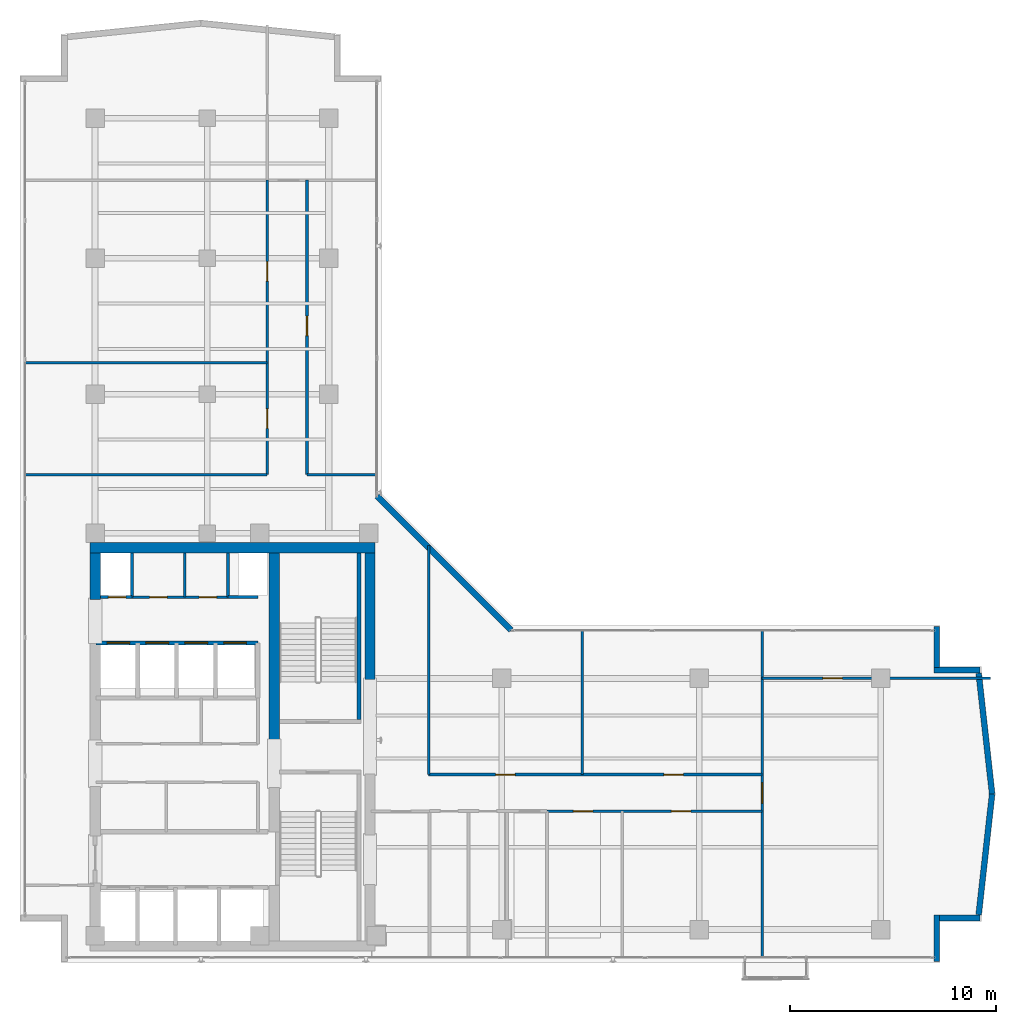
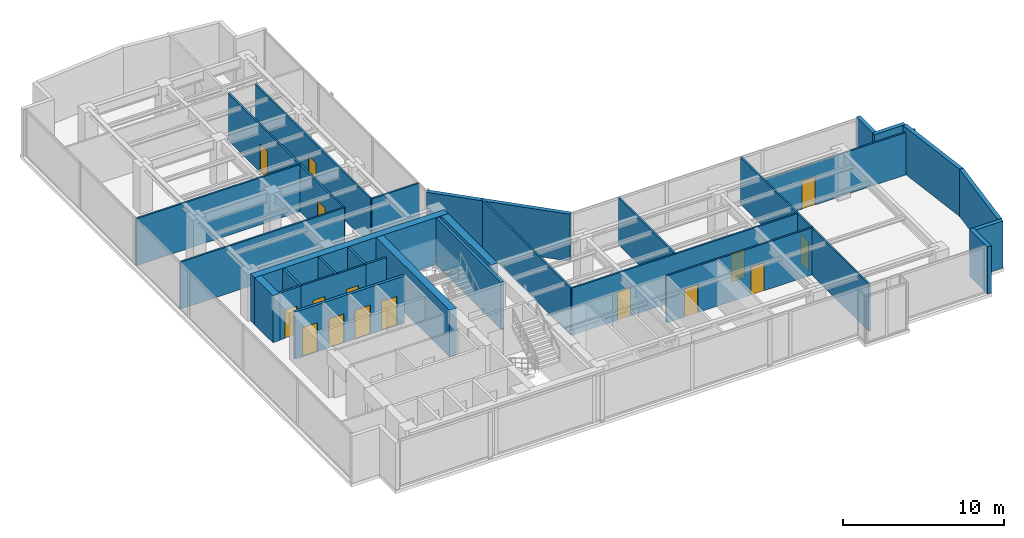
# One storey, part 17 of 22: 30 walls, 16 doors, 16 openings.
"""IFC4 building model written with IfcOpenShell, lengths in metres."""

from ifc_helpers import new_model, si_unit, direction, frame, frame_2d, origin, place, context, subcontext, project, spatial, rectangle, extrude, material, layer, layer_set, type_object, element, fill, save


model = new_model("IFC4")

# Units and contexts
model_context = context("Model", 3, precision=1e-05, world=origin(), true_north=direction((0.0, 1.0)))
body_context = subcontext(model_context, "Body", "Model", "MODEL_VIEW")
ifc_project = project(units=[si_unit("LENGTHUNIT", "METRE"), si_unit("AREAUNIT", "SQUARE_METRE"), si_unit("VOLUMEUNIT", "CUBIC_METRE"), si_unit("PLANEANGLEUNIT", "RADIAN"), si_unit("MASSUNIT", "GRAM", prefix="KILO")], contexts=[model_context])

# Site, building, storey
site_placement = place(None, origin())
site = spatial("IfcSite", under=ifc_project, at=site_placement, CompositionType="ELEMENT")
building_placement = place(site_placement, origin())
building = spatial("IfcBuilding", under=site, at=building_placement, Name="Kolvaren Waterfront Exchange", CompositionType="ELEMENT")
storey_placement = place(building_placement, frame((0.0, 0.0, 274.199951171875)))
storey = spatial("IfcBuildingStorey", under=building, at=storey_placement, Name="L70", CompositionType="ELEMENT", Elevation=274.199951171875)

# Walls
ifc_material_1 = material(Name="Precast concrete C40/50", Category="concrete")
ifc_layer_1 = layer(ifc_material_1, 0.280029296875, Name="Precast concrete C40/50")
ifc_layer_set_1 = layer_set([ifc_layer_1], Name="Precast concrete C40/50")
wall_type_1 = type_object("IfcWallType", Name="ARC-EXT-TERR-280", PredefinedType="SOLIDWALL", material=ifc_layer_set_1)
wall_1_placement = place(storey_placement, frame((48.32958984375, 3.659912109375, 0.0), z_axis=(0.0, 0.0, 1.0), x_axis=(0.0, 1.0, 0.0)))
element("IfcWall", 1, at=wall_1_placement, inside=storey, type_object=wall_type_1, Name="L70 notched corner spandrel pier SE-A", PredefinedType="SOLIDWALL", context=body_context, shape_type="SweptSolid", body=[
    extrude(rectangle(XDim=2.239990234375, YDim=0.280029296875, at=frame_2d((1.1201171875, 0.0))), origin(), (0.0, 0.0, 1.0), 3.56005859375),
])
wall_2_placement = place(storey_placement, frame((48.469482421875, 5.760009765625, 0.0), z_axis=(0.0, 0.0, 1.0), x_axis=(1.0, 0.0, 0.0)))
element("IfcWall", 2, at=wall_2_placement, inside=storey, type_object=wall_type_1, Name="L70 notched corner spandrel pier SE-B", PredefinedType="SOLIDWALL", context=body_context, shape_type="SweptSolid", body=[
    extrude(rectangle(XDim=1.9599609375, YDim=0.280029296875, at=frame_2d((0.97998046875, 0.0))), origin(), (0.0, 0.0, 1.0), 3.56005859375),
])
wall_3_placement = place(storey_placement, frame((48.32958984375, 17.933349609375, 0.0), z_axis=(0.0, 0.0, 1.0), x_axis=(0.0, 1.0, 0.0)))
element("IfcWall", 3, at=wall_3_placement, inside=storey, type_object=wall_type_1, Name="L70 notched corner spandrel pier ENE-A", PredefinedType="SOLIDWALL", context=body_context, shape_type="SweptSolid", body=[
    extrude(rectangle(XDim=1.97509765625, YDim=0.280029296875, at=frame_2d((0.987548828125, 0.0))), origin(), (0.0, 0.0, 1.0), 3.56005859375),
])
wall_4_placement = place(storey_placement, frame((48.189453125, 17.808349609375, 0.0), z_axis=(0.0, 0.0, 1.0), x_axis=(1.0, 0.0, 0.0)))
element("IfcWall", 4, at=wall_4_placement, inside=storey, type_object=wall_type_1, Name="L70 notched corner spandrel pier ENE-B", PredefinedType="SOLIDWALL", context=body_context, shape_type="SweptSolid", body=[
    extrude(rectangle(XDim=2.239990234375, YDim=0.280029296875, at=frame_2d((1.1201171875, 0.0))), origin(), (0.0, 0.0, 1.0), 3.56005859375),
])
wall_5_placement = place(storey_placement, frame((27.6533203125, 19.743408203125, 0.0), z_axis=(0.0, 0.0, 1.0), x_axis=(-0.707106781187, 0.707106781187, 0.0)))
element("IfcWall", 5, at=wall_5_placement, inside=storey, type_object=wall_type_1, Name="L70 notched corner spandrel pier ELBOW", PredefinedType="SOLIDWALL", context=body_context, shape_type="SweptSolid", body=[
    extrude(rectangle(XDim=9.20654296875, YDim=0.280029296875, at=frame_2d((4.603271484375, 0.0))), origin(), (0.0, 0.0, 1.0), 3.56005859375),
])
wall_6_placement = place(storey_placement, frame((50.36376953125, 5.916015625, 0.0), z_axis=(0.0, 0.0, 1.0), x_axis=(0.110812869421, 0.993841289126, 0.0)))
element("IfcWall", 6, at=wall_6_placement, inside=storey, type_object=wall_type_1, Name="L70 east prow faceted facade wall 1", PredefinedType="SOLIDWALL", context=body_context, shape_type="SweptSolid", body=[
    extrude(rectangle(XDim=5.90234375, YDim=0.280029296875, at=frame_2d((2.951171875, 0.0))), origin(), (0.0, 0.0, 1.0), 3.56005859375),
])
wall_7_placement = place(storey_placement, frame((51.017822265625, 11.786376953125, 0.0), z_axis=(0.0, 0.0, 1.0), x_axis=(-0.110808314225, 0.993841797017, 0.0)))
element("IfcWall", 7, at=wall_7_placement, inside=storey, type_object=wall_type_1, Name="L70 east prow faceted facade wall 2", PredefinedType="SOLIDWALL", context=body_context, shape_type="SweptSolid", body=[
    extrude(rectangle(XDim=5.902587890625, YDim=0.280029296875, at=frame_2d((2.951171875, 0.0))), origin(), (0.0, 0.0, 1.0), 3.56005859375),
])

# Wall, openings, doors
ifc_material_2 = material(Name="Acoustic gypsum steel stud", Category="steel")
ifc_layer_2 = layer(ifc_material_2, 0.125, Name="Acoustic gypsum steel stud")
ifc_layer_set_2 = layer_set([ifc_layer_2], Name="Acoustic gypsum steel stud")
wall_type_2 = type_object("IfcWallType", Name="ARC-PART-125", PredefinedType="PARTITIONING", material=ifc_layer_set_2)
wall_8_placement = place(storey_placement, frame((9.25, 21.35009765625, 0.0), z_axis=(0.0, 0.0, 1.0), x_axis=(1.0, 0.0, 0.0)))
wall_8 = element("IfcWall", 8, at=wall_8_placement, inside=storey, type_object=wall_type_2, Name="L70 interior wall PW-L70-SVC-HI-S", PredefinedType="PARTITIONING", context=body_context, shape_type="SweptSolid", body=[
    extrude(rectangle(XDim=4.64990234375, YDim=0.125, at=frame_2d((2.324951171875, 0.0))), origin(), (0.0, 0.0, 1.0), 3.56005859375),
])
opening_1_placement = place(wall_8_placement, frame((0.85009765625, 0.0, 0.0)))
opening_1 = element("IfcOpeningElement", 9, at=opening_1_placement, cuts=wall_8, Name="Opening D01", PredefinedType="OPENING", context=body_context, shape_type="SweptSolid", body=[
    extrude(rectangle(XDim=0.85009765625, YDim=2.14990234375, at=frame_2d((0.425048828125, 1.074951171875))), frame((0.0, 0.072509765625, 0.0), z_axis=(0.0, -1.0, 0.0), x_axis=(1.0, 0.0, 0.0)), (0.0, 0.0, 1.0), 0.14501953125),
])
opening_2_placement = place(wall_8_placement, frame((3.25, 0.0, 0.0)))
opening_2 = element("IfcOpeningElement", 10, at=opening_2_placement, cuts=wall_8, Name="Opening D01", PredefinedType="OPENING", context=body_context, shape_type="SweptSolid", body=[
    extrude(rectangle(XDim=0.85009765625, YDim=2.14990234375, at=frame_2d((0.425048828125, 1.074951171875))), frame((0.0, 0.072509765625, 0.0), z_axis=(0.0, -1.0, 0.0), x_axis=(1.0, 0.0, 0.0)), (0.0, 0.0, 1.0), 0.14501953125),
])
ifc_material_3 = material(Name="Oak veneer timber leaf", Category="wood")
door_type_1 = type_object("IfcDoorType", Name="ARC-DR-900", OperationType="NOTDEFINED", PredefinedType="DOOR", material=ifc_material_3)
door_1_placement = place(opening_1_placement, origin())
door_1 = element("IfcDoor", 11, at=door_1_placement, inside=storey, type_object=door_type_1, Name="L70 door DR-L70-SVC-DR-1 (D01)", OperationType="SINGLE_SWING_LEFT", OverallHeight=2.14990234375, OverallWidth=0.85009765625, PredefinedType="DOOR", context=body_context, shape_type="SweptSolid", body=[
    extrude(rectangle(XDim=0.85009765625, YDim=2.14990234375, at=frame_2d((0.425048828125, 1.074951171875))), frame((0.0, 0.02490234375, 0.0), z_axis=(0.0, -1.0, 0.0), x_axis=(1.0, 0.0, 0.0)), (0.0, 0.0, 1.0), 0.050048828125),
])
fill(opening_1, door_1)
door_2_placement = place(opening_2_placement, origin())
door_2 = element("IfcDoor", 12, at=door_2_placement, inside=storey, type_object=door_type_1, Name="L70 door DR-L70-SVC-DR-2 (D01)", OperationType="SINGLE_SWING_RIGHT", OverallHeight=2.14990234375, OverallWidth=0.85009765625, PredefinedType="DOOR", context=body_context, shape_type="SweptSolid", body=[
    extrude(rectangle(XDim=0.85009765625, YDim=2.14990234375, at=frame_2d((0.425048828125, 1.074951171875))), frame((0.0, 0.02490234375, 0.0), z_axis=(0.0, -1.0, 0.0), x_axis=(1.0, 0.0, 0.0)), (0.0, 0.0, 1.0), 0.050048828125),
])
fill(opening_2, door_2)

# Wall
wall_9_placement = place(storey_placement, frame((11.800048828125, 21.35009765625, 0.0), z_axis=(0.0, 0.0, 1.0), x_axis=(0.0, 1.0, 0.0)))
element("IfcWall", 13, at=wall_9_placement, inside=storey, type_object=wall_type_2, Name="L70 interior wall PW-L70-SVC-HI-M", PredefinedType="PARTITIONING", context=body_context, shape_type="SweptSolid", body=[
    extrude(rectangle(XDim=2.1298828125, YDim=0.125, at=frame_2d((1.06494140625, 0.0))), origin(), (0.0, 0.0, 1.0), 3.56005859375),
])

# Wall, openings, doors
wall_10_placement = place(storey_placement, frame((29.39990234375, 10.949951171875, 0.0), z_axis=(0.0, 0.0, 1.0), x_axis=(1.0, 0.0, 0.0)))
wall_10 = element("IfcWall", 14, at=wall_10_placement, inside=storey, type_object=wall_type_2, Name="L70 interior wall PW-L70-ES-CORR", PredefinedType="PARTITIONING", context=body_context, shape_type="SweptSolid", body=[
    extrude(rectangle(XDim=10.4501953125, YDim=0.125, at=frame_2d((5.22509765625, 0.0))), origin(), (0.0, 0.0, 1.0), 3.56005859375),
])
opening_3_placement = place(wall_10_placement, frame((1.281494140625, 0.0, 0.0)))
opening_3 = element("IfcOpeningElement", 15, at=opening_3_placement, cuts=wall_10, Name="Opening D02", PredefinedType="OPENING", context=body_context, shape_type="SweptSolid", body=[
    extrude(rectangle(XDim=0.949951171875, YDim=2.14990234375, at=frame_2d((0.47509765625, 1.074951171875))), frame((0.0, 0.072509765625, 0.0), z_axis=(0.0, -1.0, 0.0), x_axis=(1.0, 0.0, 0.0)), (0.0, 0.0, 1.0), 0.14501953125),
])
opening_4_placement = place(wall_10_placement, frame((6.034423828125, 0.0, 0.0)))
opening_4 = element("IfcOpeningElement", 16, at=opening_4_placement, cuts=wall_10, Name="Opening D02", PredefinedType="OPENING", context=body_context, shape_type="SweptSolid", body=[
    extrude(rectangle(XDim=0.949951171875, YDim=2.14990234375, at=frame_2d((0.47509765625, 1.074951171875))), frame((0.0, 0.072509765625, 0.0), z_axis=(0.0, -1.0, 0.0), x_axis=(1.0, 0.0, 0.0)), (0.0, 0.0, 1.0), 0.14501953125),
])
ifc_material_4 = material(Name="Oak veneer acoustic timber", Category="wood")
door_type_2 = type_object("IfcDoorType", Name="ARC-DR-950", OperationType="NOTDEFINED", PredefinedType="DOOR", material=ifc_material_4)
door_3_placement = place(opening_3_placement, origin())
door_3 = element("IfcDoor", 17, at=door_3_placement, inside=storey, type_object=door_type_2, Name="L70 door DR-L70-ES-D-1 (D02)", OperationType="SINGLE_SWING_RIGHT", OverallHeight=2.14990234375, OverallWidth=0.949951171875, PredefinedType="DOOR", context=body_context, shape_type="SweptSolid", body=[
    extrude(rectangle(XDim=0.949951171875, YDim=2.14990234375, at=frame_2d((0.47509765625, 1.074951171875))), frame((0.0, 0.02490234375, 0.0), z_axis=(0.0, -1.0, 0.0), x_axis=(1.0, 0.0, 0.0)), (0.0, 0.0, 1.0), 0.050048828125),
])
fill(opening_3, door_3)
door_4_placement = place(opening_4_placement, origin())
door_4 = element("IfcDoor", 18, at=door_4_placement, inside=storey, type_object=door_type_2, Name="L70 door DR-L70-ES-D-2 (D02)", OperationType="SINGLE_SWING_LEFT", OverallHeight=2.14990234375, OverallWidth=0.949951171875, PredefinedType="DOOR", context=body_context, shape_type="SweptSolid", body=[
    extrude(rectangle(XDim=0.949951171875, YDim=2.14990234375, at=frame_2d((0.47509765625, 1.074951171875))), frame((0.0, 0.02490234375, 0.0), z_axis=(0.0, -1.0, 0.0), x_axis=(1.0, 0.0, 0.0)), (0.0, 0.0, 1.0), 0.050048828125),
])
fill(opening_4, door_4)

# Wall, opening, door
wall_11_placement = place(storey_placement, frame((39.85009765625, 3.840087890625, 0.0), z_axis=(0.0, 0.0, 1.0), x_axis=(0.0, 1.0, 0.0)))
wall_11 = element("IfcWall", 19, at=wall_11_placement, inside=storey, type_object=wall_type_2, Name="L70 interior wall PW-L70-ETIP-W", PredefinedType="PARTITIONING", context=body_context, shape_type="SweptSolid", body=[
    extrude(rectangle(XDim=15.919921875, YDim=0.125, at=frame_2d((7.9599609375, 0.0))), origin(), (0.0, 0.0, 1.0), 3.56005859375),
])
opening_5_placement = place(wall_11_placement, frame((7.5, 0.0, 0.0)))
opening_5 = element("IfcOpeningElement", 20, at=opening_5_placement, cuts=wall_11, Name="Opening D03", PredefinedType="OPENING", context=body_context, shape_type="SweptSolid", body=[
    extrude(rectangle(XDim=1.0, YDim=2.199951171875, at=frame_2d((0.5, 1.10009765625))), frame((0.0, 0.072509765625, 0.0), z_axis=(0.0, -1.0, 0.0), x_axis=(1.0, 0.0, 0.0)), (0.0, 0.0, 1.0), 0.14501953125),
])
ifc_material_5 = material(Name="Oak veneer accessible timber", Category="wood")
door_type_3 = type_object("IfcDoorType", Name="ARC-DR-1000", OperationType="NOTDEFINED", PredefinedType="DOOR", material=ifc_material_5)
door_5_placement = place(opening_5_placement, origin())
door_5 = element("IfcDoor", 21, at=door_5_placement, inside=storey, type_object=door_type_3, Name="L70 door DR-L70-ETIP1-D (D03)", OperationType="SINGLE_SWING_RIGHT", OverallHeight=2.199951171875, OverallWidth=1.0, PredefinedType="DOOR", context=body_context, shape_type="SweptSolid", body=[
    extrude(rectangle(XDim=1.0, YDim=2.199951171875, at=frame_2d((0.5, 1.10009765625))), frame((0.0, 0.02490234375, 0.0), z_axis=(0.0, -1.0, 0.0), x_axis=(1.0, 0.0, 0.0)), (0.0, 0.0, 1.0), 0.050048828125),
])
fill(opening_5, door_5)

wall_12_placement = place(storey_placement, frame((39.85009765625, 17.39990234375, 0.0), z_axis=(0.0, 0.0, 1.0), x_axis=(1.0, 0.0, 0.0)))
wall_12 = element("IfcWall", 22, at=wall_12_placement, inside=storey, type_object=wall_type_2, Name="L70 interior wall PW-L70-ETIP-MID", PredefinedType="PARTITIONING", context=body_context, shape_type="SweptSolid", body=[
    extrude(rectangle(XDim=11.0888671875, YDim=0.125, at=frame_2d((5.54443359375, 0.0))), origin(), (0.0, 0.0, 1.0), 3.199951171875),
])
opening_6_placement = place(wall_12_placement, frame((2.949951171875, 0.0, 0.0)))
opening_6 = element("IfcOpeningElement", 23, at=opening_6_placement, cuts=wall_12, Name="Opening D02", PredefinedType="OPENING", context=body_context, shape_type="SweptSolid", body=[
    extrude(rectangle(XDim=0.949951171875, YDim=2.14990234375, at=frame_2d((0.47509765625, 1.074951171875))), frame((0.0, 0.072509765625, 0.0), z_axis=(0.0, -1.0, 0.0), x_axis=(1.0, 0.0, 0.0)), (0.0, 0.0, 1.0), 0.14501953125),
])
door_6_placement = place(opening_6_placement, origin())
door_6 = element("IfcDoor", 24, at=door_6_placement, inside=storey, type_object=door_type_2, Name="L70 door DR-L70-ETIP2-D (D02)", OperationType="SINGLE_SWING_LEFT", OverallHeight=2.14990234375, OverallWidth=0.949951171875, PredefinedType="DOOR", context=body_context, shape_type="SweptSolid", body=[
    extrude(rectangle(XDim=0.949951171875, YDim=2.14990234375, at=frame_2d((0.47509765625, 1.074951171875))), frame((0.0, 0.02490234375, 0.0), z_axis=(0.0, -1.0, 0.0), x_axis=(1.0, 0.0, 0.0)), (0.0, 0.0, 1.0), 0.050048828125),
])
fill(opening_6, door_6)

# Wall
wall_13_placement = place(storey_placement, frame((23.64990234375, 12.72998046875, 0.0), z_axis=(0.0, 0.0, 1.0), x_axis=(0.0, 1.0, 0.0)))
element("IfcWall", 25, at=wall_13_placement, inside=storey, type_object=wall_type_2, Name="L70 interior wall PW-L70-EN-W0", PredefinedType="PARTITIONING", context=body_context, shape_type="SweptSolid", body=[
    extrude(rectangle(XDim=11.11669921875, YDim=0.125, at=frame_2d((5.558349609375, 0.0))), origin(), (0.0, 0.0, 1.0), 3.56005859375),
])

# Wall, openings, doors
wall_14_placement = place(storey_placement, frame((23.64990234375, 12.72998046875, 0.0), z_axis=(0.0, 0.0, 1.0), x_axis=(1.0, 0.0, 0.0)))
wall_14 = element("IfcWall", 26, at=wall_14_placement, inside=storey, type_object=wall_type_2, Name="L70 interior wall PW-L70-EN-CORR", PredefinedType="PARTITIONING", context=body_context, shape_type="SweptSolid", body=[
    extrude(rectangle(XDim=16.2001953125, YDim=0.125, at=frame_2d((8.10009765625, 0.0))), origin(), (0.0, 0.0, 1.0), 3.56005859375),
])
opening_7_placement = place(wall_14_placement, frame((3.25, 0.0, 0.0)))
opening_7 = element("IfcOpeningElement", 27, at=opening_7_placement, cuts=wall_14, Name="Opening D02", PredefinedType="OPENING", context=body_context, shape_type="SweptSolid", body=[
    extrude(rectangle(XDim=0.949951171875, YDim=2.14990234375, at=frame_2d((0.47509765625, 1.074951171875))), frame((0.0, 0.072509765625, 0.0), z_axis=(0.0, -1.0, 0.0), x_axis=(1.0, 0.0, 0.0)), (0.0, 0.0, 1.0), 0.14501953125),
])
opening_8_placement = place(wall_14_placement, frame((11.42138671875, 0.0, 0.0)))
opening_8 = element("IfcOpeningElement", 28, at=opening_8_placement, cuts=wall_14, Name="Opening D02", PredefinedType="OPENING", context=body_context, shape_type="SweptSolid", body=[
    extrude(rectangle(XDim=0.949951171875, YDim=2.14990234375, at=frame_2d((0.47509765625, 1.074951171875))), frame((0.0, 0.072509765625, 0.0), z_axis=(0.0, -1.0, 0.0), x_axis=(1.0, 0.0, 0.0)), (0.0, 0.0, 1.0), 0.14501953125),
])
door_7_placement = place(opening_7_placement, origin())
door_7 = element("IfcDoor", 29, at=door_7_placement, inside=storey, type_object=door_type_2, Name="L70 door DR-L70-EN-D-1 (D02)", OperationType="SINGLE_SWING_RIGHT", OverallHeight=2.14990234375, OverallWidth=0.949951171875, PredefinedType="DOOR", context=body_context, shape_type="SweptSolid", body=[
    extrude(rectangle(XDim=0.949951171875, YDim=2.14990234375, at=frame_2d((0.47509765625, 1.074951171875))), frame((0.0, 0.02490234375, 0.0), z_axis=(0.0, -1.0, 0.0), x_axis=(1.0, 0.0, 0.0)), (0.0, 0.0, 1.0), 0.050048828125),
])
fill(opening_7, door_7)
door_8_placement = place(opening_8_placement, origin())
door_8 = element("IfcDoor", 30, at=door_8_placement, inside=storey, type_object=door_type_2, Name="L70 door DR-L70-EN-D-2 (D02)", OperationType="SINGLE_SWING_LEFT", OverallHeight=2.14990234375, OverallWidth=0.949951171875, PredefinedType="DOOR", context=body_context, shape_type="SweptSolid", body=[
    extrude(rectangle(XDim=0.949951171875, YDim=2.14990234375, at=frame_2d((0.47509765625, 1.074951171875))), frame((0.0, 0.02490234375, 0.0), z_axis=(0.0, -1.0, 0.0), x_axis=(1.0, 0.0, 0.0)), (0.0, 0.0, 1.0), 0.050048828125),
])
fill(opening_8, door_8)

# Walls
wall_15_placement = place(storey_placement, frame((31.10009765625, 12.72998046875, 0.0), z_axis=(0.0, 0.0, 1.0), x_axis=(0.0, 1.0, 0.0)))
element("IfcWall", 31, at=wall_15_placement, inside=storey, type_object=wall_type_2, Name="L70 interior wall PW-L70-EN-DIV-1", PredefinedType="PARTITIONING", context=body_context, shape_type="SweptSolid", body=[
    extrude(rectangle(XDim=7.030029296875, YDim=0.125, at=frame_2d((3.51513671875, 0.0))), origin(), (0.0, 0.0, 1.0), 3.56005859375),
])
wall_16_placement = place(storey_placement, frame((4.0400390625, 27.300048828125, 0.0), z_axis=(0.0, 0.0, 1.0), x_axis=(1.0, 0.0, 0.0)))
element("IfcWall", 32, at=wall_16_placement, inside=storey, type_object=wall_type_2, Name="L70 interior wall PW-L70-NW-S0", PredefinedType="PARTITIONING", context=body_context, shape_type="SweptSolid", body=[
    extrude(rectangle(XDim=11.760009765625, YDim=0.125, at=frame_2d((5.8798828125, 0.0))), origin(), (0.0, 0.0, 1.0), 3.56005859375),
])

# Wall, openings, doors
wall_17_placement = place(storey_placement, frame((15.800048828125, 27.300048828125, 0.0), z_axis=(0.0, 0.0, 1.0), x_axis=(0.0, 1.0, 0.0)))
wall_17 = element("IfcWall", 33, at=wall_17_placement, inside=storey, type_object=wall_type_2, Name="L70 interior wall PW-L70-NW-CORR", PredefinedType="PARTITIONING", context=body_context, shape_type="SweptSolid", body=[
    extrude(rectangle(XDim=14.300048828125, YDim=0.125, at=frame_2d((7.14990234375, 0.0))), origin(), (0.0, 0.0, 1.0), 3.56005859375),
])
opening_9_placement = place(wall_17_placement, frame((2.239990234375, 0.0, 0.0)))
opening_9 = element("IfcOpeningElement", 34, at=opening_9_placement, cuts=wall_17, Name="Opening D02", PredefinedType="OPENING", context=body_context, shape_type="SweptSolid", body=[
    extrude(rectangle(XDim=0.949951171875, YDim=2.14990234375, at=frame_2d((0.47509765625, 1.074951171875))), frame((0.0, 0.072509765625, 0.0), z_axis=(0.0, -1.0, 0.0), x_axis=(1.0, 0.0, 0.0)), (0.0, 0.0, 1.0), 0.14501953125),
])
opening_10_placement = place(wall_17_placement, frame((9.389892578125, 0.0, 0.0)))
opening_10 = element("IfcOpeningElement", 35, at=opening_10_placement, cuts=wall_17, Name="Opening D02", PredefinedType="OPENING", context=body_context, shape_type="SweptSolid", body=[
    extrude(rectangle(XDim=0.949951171875, YDim=2.14990234375, at=frame_2d((0.47509765625, 1.074951171875))), frame((0.0, 0.072509765625, 0.0), z_axis=(0.0, -1.0, 0.0), x_axis=(1.0, 0.0, 0.0)), (0.0, 0.0, 1.0), 0.14501953125),
])
door_9_placement = place(opening_9_placement, origin())
door_9 = element("IfcDoor", 36, at=door_9_placement, inside=storey, type_object=door_type_2, Name="L70 door DR-L70-NW-D-1 (D02)", OperationType="SINGLE_SWING_RIGHT", OverallHeight=2.14990234375, OverallWidth=0.949951171875, PredefinedType="DOOR", context=body_context, shape_type="SweptSolid", body=[
    extrude(rectangle(XDim=0.949951171875, YDim=2.14990234375, at=frame_2d((0.47509765625, 1.074951171875))), frame((0.0, 0.02490234375, 0.0), z_axis=(0.0, -1.0, 0.0), x_axis=(1.0, 0.0, 0.0)), (0.0, 0.0, 1.0), 0.050048828125),
])
fill(opening_9, door_9)
door_10_placement = place(opening_10_placement, origin())
door_10 = element("IfcDoor", 37, at=door_10_placement, inside=storey, type_object=door_type_2, Name="L70 door DR-L70-NW-D-2 (D02)", OperationType="SINGLE_SWING_LEFT", OverallHeight=2.14990234375, OverallWidth=0.949951171875, PredefinedType="DOOR", context=body_context, shape_type="SweptSolid", body=[
    extrude(rectangle(XDim=0.949951171875, YDim=2.14990234375, at=frame_2d((0.47509765625, 1.074951171875))), frame((0.0, 0.02490234375, 0.0), z_axis=(0.0, -1.0, 0.0), x_axis=(1.0, 0.0, 0.0)), (0.0, 0.0, 1.0), 0.050048828125),
])
fill(opening_10, door_10)

# Walls
wall_18_placement = place(storey_placement, frame((4.0400390625, 32.72998046875, 0.0), z_axis=(0.0, 0.0, 1.0), x_axis=(1.0, 0.0, 0.0)))
element("IfcWall", 38, at=wall_18_placement, inside=storey, type_object=wall_type_2, Name="L70 interior wall PW-L70-NW-DIV-1", PredefinedType="PARTITIONING", context=body_context, shape_type="SweptSolid", body=[
    extrude(rectangle(XDim=11.760009765625, YDim=0.125, at=frame_2d((5.8798828125, 0.0))), origin(), (0.0, 0.0, 1.0), 3.56005859375),
])
wall_19_placement = place(storey_placement, frame((17.739990234375, 27.300048828125, 0.0), z_axis=(0.0, 0.0, 1.0), x_axis=(1.0, 0.0, 0.0)))
element("IfcWall", 39, at=wall_19_placement, inside=storey, type_object=wall_type_2, Name="L70 interior wall PW-L70-NE-S0", PredefinedType="PARTITIONING", context=body_context, shape_type="SweptSolid", body=[
    extrude(rectangle(XDim=3.419921875, YDim=0.125, at=frame_2d((1.7099609375, 0.0))), origin(), (0.0, 0.0, 1.0), 3.56005859375),
])

# Wall, opening, door
wall_20_placement = place(storey_placement, frame((17.739990234375, 27.300048828125, 0.0), z_axis=(0.0, 0.0, 1.0), x_axis=(0.0, 1.0, 0.0)))
wall_20 = element("IfcWall", 40, at=wall_20_placement, inside=storey, type_object=wall_type_2, Name="L70 interior wall PW-L70-NE-CORR", PredefinedType="PARTITIONING", context=body_context, shape_type="SweptSolid", body=[
    extrude(rectangle(XDim=14.300048828125, YDim=0.125, at=frame_2d((7.14990234375, 0.0))), origin(), (0.0, 0.0, 1.0), 3.56005859375),
])
opening_11_placement = place(wall_20_placement, frame((6.74560546875, 0.0, 0.0)))
opening_11 = element("IfcOpeningElement", 41, at=opening_11_placement, cuts=wall_20, Name="Opening D02", PredefinedType="OPENING", context=body_context, shape_type="SweptSolid", body=[
    extrude(rectangle(XDim=0.949951171875, YDim=2.14990234375, at=frame_2d((0.47509765625, 1.074951171875))), frame((0.0, 0.072509765625, 0.0), z_axis=(0.0, -1.0, 0.0), x_axis=(1.0, 0.0, 0.0)), (0.0, 0.0, 1.0), 0.14501953125),
])
door_11_placement = place(opening_11_placement, origin())
door_11 = element("IfcDoor", 42, at=door_11_placement, inside=storey, type_object=door_type_2, Name="L70 door DR-L70-NE-D-1 (D02)", OperationType="SINGLE_SWING_RIGHT", OverallHeight=2.14990234375, OverallWidth=0.949951171875, PredefinedType="DOOR", context=body_context, shape_type="SweptSolid", body=[
    extrude(rectangle(XDim=0.949951171875, YDim=2.14990234375, at=frame_2d((0.47509765625, 1.074951171875))), frame((0.0, 0.02490234375, 0.0), z_axis=(0.0, -1.0, 0.0), x_axis=(1.0, 0.0, 0.0)), (0.0, 0.0, 1.0), 0.050048828125),
])
fill(opening_11, door_11)

# Walls
ifc_material_6 = material(Name="Gypsum fireboard steel stud", Category="steel")
ifc_layer_3 = layer(ifc_material_6, 0.14990234375, Name="Gypsum fireboard steel stud")
ifc_layer_set_3 = layer_set([ifc_layer_3], Name="Gypsum fireboard steel stud")
wall_type_3 = type_object("IfcWallType", Name="ARC-PART-150", PredefinedType="PARTITIONING", material=ifc_layer_set_3)
for number, where, z_axis, x_axis, name in (
    (43, (9.25, 21.35009765625, 0.0), (0.0, 0.0, 1.0), (0.0, 1.0, 0.0), "L70 interior wall PW-L70-SVC-R1"),
    (44, (13.89990234375, 21.35009765625, 0.0), (0.0, 0.0, 1.0), (0.0, 1.0, 0.0), "L70 interior wall PW-L70-SVC-R2"),
):
    element("IfcWall", number, at=place(storey_placement, frame(where, z_axis=z_axis, x_axis=x_axis)), inside=storey, type_object=wall_type_3, Name=name, PredefinedType="PARTITIONING", context=body_context, shape_type="SweptSolid", body=[
        extrude(rectangle(XDim=2.1298828125, YDim=0.14990234375, at=frame_2d((1.06494140625, 0.0))), origin(), (0.0, 0.0, 1.0), 3.56005859375),
    ])

# Wall, opening, door
wall_21_placement = place(storey_placement, frame((7.699951171875, 21.35009765625, 0.0), z_axis=(0.0, 0.0, 1.0), x_axis=(1.0, 0.0, 0.0)))
wall_21 = element("IfcWall", 45, at=wall_21_placement, inside=storey, type_object=wall_type_3, Name="L70 interior wall PW-L70-SVC-RE-S", PredefinedType="PARTITIONING", context=body_context, shape_type="SweptSolid", body=[
    extrude(rectangle(XDim=1.550048828125, YDim=0.14990234375, at=frame_2d((0.77490234375, 0.0))), origin(), (0.0, 0.0, 1.0), 3.56005859375),
])
opening_12_placement = place(wall_21_placement, frame((0.389892578125, 0.0, 0.0)))
opening_12 = element("IfcOpeningElement", 46, at=opening_12_placement, cuts=wall_21, Name="Opening FD1", PredefinedType="OPENING", context=body_context, shape_type="SweptSolid", body=[
    extrude(rectangle(XDim=0.85009765625, YDim=2.14990234375, at=frame_2d((0.425048828125, 1.074951171875))), frame((0.0, 0.0849609375, 0.0), z_axis=(0.0, -1.0, 0.0), x_axis=(1.0, 0.0, 0.0)), (0.0, 0.0, 1.0), 0.169921875),
])
ifc_material_7 = material(Name="Pressed steel fire leaf", Category="steel")
door_type_4 = type_object("IfcDoorType", Name="ARC-FD-900", OperationType="NOTDEFINED", PredefinedType="DOOR", material=ifc_material_7)
door_12_placement = place(opening_12_placement, origin())
door_12 = element("IfcDoor", 47, at=door_12_placement, inside=storey, type_object=door_type_4, Name="L70 door DR-L70-RISER-E-DR (FD1)", OperationType="SINGLE_SWING_RIGHT", OverallHeight=2.14990234375, OverallWidth=0.85009765625, PredefinedType="DOOR", context=body_context, shape_type="SweptSolid", body=[
    extrude(rectangle(XDim=0.85009765625, YDim=2.14990234375, at=frame_2d((0.425048828125, 1.074951171875))), frame((0.0, 0.02490234375, 0.0), z_axis=(0.0, -1.0, 0.0), x_axis=(1.0, 0.0, 0.0)), (0.0, 0.0, 1.0), 0.050048828125),
])
fill(opening_12, door_12)

# Walls
wall_22_placement = place(storey_placement, frame((13.89990234375, 21.35009765625, 0.0), z_axis=(0.0, 0.0, 1.0), x_axis=(1.0, 0.0, 0.0)))
element("IfcWall", 48, at=wall_22_placement, inside=storey, type_object=wall_type_3, Name="L70 interior wall PW-L70-SVC-RP-S", PredefinedType="PARTITIONING", context=body_context, shape_type="SweptSolid", body=[
    extrude(rectangle(XDim=1.4501953125, YDim=0.14990234375, at=frame_2d((0.72509765625, 0.0))), origin(), (0.0, 0.0, 1.0), 3.56005859375),
])
ifc_material_8 = material(Name="Concrete C40/50", Category="concrete")
ifc_layer_4 = layer(ifc_material_8, 0.199951171875, Name="Concrete C40/50")
ifc_layer_set_4 = layer_set([ifc_layer_4], Name="Concrete C40/50")
wall_type_4 = type_object("IfcWallType", Name="ARC-SHAFT-200", PredefinedType="PARTITIONING", material=ifc_layer_set_4)
wall_23_placement = place(storey_placement, frame((20.260009765625, 15.39990234375, 0.0), z_axis=(0.0, 0.0, 1.0), x_axis=(0.0, 1.0, 0.0)))
element("IfcWall", 49, at=wall_23_placement, inside=storey, type_object=wall_type_4, Name="L70 structural stairwell wall PW-L70-ST2-E", PredefinedType="SHEAR", context=body_context, shape_type="SweptSolid", body=[
    extrude(rectangle(XDim=8.090087890625, YDim=0.199951171875, at=frame_2d((4.044921875, 0.0))), origin(), (0.0, 0.0, 1.0), 3.56005859375),
])

# Wall, openings, doors
wall_24_placement = place(storey_placement, frame((7.5, 19.1201171875, 0.0), z_axis=(0.0, 0.0, 1.0), x_axis=(1.0, 0.0, 0.0)))
wall_24 = element("IfcWall", 50, at=wall_24_placement, inside=storey, type_object=wall_type_4, Name="L70 interior wall PW-L70-PH-N", PredefinedType="PARTITIONING", context=body_context, shape_type="SweptSolid", body=[
    extrude(rectangle(XDim=7.85009765625, YDim=0.199951171875, at=frame_2d((3.925048828125, 0.0))), origin(), (0.0, 0.0, 1.0), 3.56005859375),
])
opening_13_placement = place(wall_24_placement, frame((0.530029296875, 0.0, 0.0)))
opening_13 = element("IfcOpeningElement", 51, at=opening_13_placement, cuts=wall_24, Name="Opening LD2", PredefinedType="OPENING", context=body_context, shape_type="SweptSolid", body=[
    extrude(rectangle(XDim=1.10009765625, YDim=2.199951171875, at=frame_2d((0.550048828125, 1.10009765625))), frame((0.0, 0.10986328125, 0.0), z_axis=(0.0, -1.0, 0.0), x_axis=(1.0, 0.0, 0.0)), (0.0, 0.0, 1.0), 0.219970703125),
])
opening_14_placement = place(wall_24_placement, frame((2.419921875, 0.0, 0.0)))
opening_14 = element("IfcOpeningElement", 52, at=opening_14_placement, cuts=wall_24, Name="Opening LD2", PredefinedType="OPENING", context=body_context, shape_type="SweptSolid", body=[
    extrude(rectangle(XDim=1.10009765625, YDim=2.199951171875, at=frame_2d((0.550048828125, 1.10009765625))), frame((0.0, 0.10986328125, 0.0), z_axis=(0.0, -1.0, 0.0), x_axis=(1.0, 0.0, 0.0)), (0.0, 0.0, 1.0), 0.219970703125),
])
opening_15_placement = place(wall_24_placement, frame((4.31005859375, 0.0, 0.0)))
opening_15 = element("IfcOpeningElement", 53, at=opening_15_placement, cuts=wall_24, Name="Opening LD2", PredefinedType="OPENING", context=body_context, shape_type="SweptSolid", body=[
    extrude(rectangle(XDim=1.10009765625, YDim=2.199951171875, at=frame_2d((0.550048828125, 1.10009765625))), frame((0.0, 0.10986328125, 0.0), z_axis=(0.0, -1.0, 0.0), x_axis=(1.0, 0.0, 0.0)), (0.0, 0.0, 1.0), 0.219970703125),
])
opening_16_placement = place(wall_24_placement, frame((6.199951171875, 0.0, 0.0)))
opening_16 = element("IfcOpeningElement", 54, at=opening_16_placement, cuts=wall_24, Name="Opening LD2", PredefinedType="OPENING", context=body_context, shape_type="SweptSolid", body=[
    extrude(rectangle(XDim=1.10009765625, YDim=2.199951171875, at=frame_2d((0.550048828125, 1.10009765625))), frame((0.0, 0.10986328125, 0.0), z_axis=(0.0, -1.0, 0.0), x_axis=(1.0, 0.0, 0.0)), (0.0, 0.0, 1.0), 0.219970703125),
])
ifc_material_9 = material(Name="Brushed bronze sliding landing door", Category="aluminium")
door_type_5 = type_object("IfcDoorType", Name="ARC-LD-PAX", OperationType="SLIDING_TO_LEFT", PredefinedType="DOOR", material=ifc_material_9)
door_13_placement = place(opening_13_placement, origin())
door_13 = element("IfcDoor", 55, at=door_13_placement, inside=storey, type_object=door_type_5, Name="L70 door LD-L70-PH1 (LD2)", OperationType="SLIDING_TO_LEFT", OverallHeight=2.199951171875, OverallWidth=1.10009765625, PredefinedType="DOOR", context=body_context, shape_type="SweptSolid", body=[
    extrude(rectangle(XDim=1.10009765625, YDim=2.199951171875, at=frame_2d((0.550048828125, 1.10009765625))), frame((0.0, 0.02490234375, 0.0), z_axis=(0.0, -1.0, 0.0), x_axis=(1.0, 0.0, 0.0)), (0.0, 0.0, 1.0), 0.050048828125),
])
fill(opening_13, door_13)
door_14_placement = place(opening_14_placement, origin())
door_14 = element("IfcDoor", 56, at=door_14_placement, inside=storey, type_object=door_type_5, Name="L70 door LD-L70-PH2 (LD2)", OperationType="SLIDING_TO_LEFT", OverallHeight=2.199951171875, OverallWidth=1.10009765625, PredefinedType="DOOR", context=body_context, shape_type="SweptSolid", body=[
    extrude(rectangle(XDim=1.10009765625, YDim=2.199951171875, at=frame_2d((0.550048828125, 1.10009765625))), frame((0.0, 0.02490234375, 0.0), z_axis=(0.0, -1.0, 0.0), x_axis=(1.0, 0.0, 0.0)), (0.0, 0.0, 1.0), 0.050048828125),
])
fill(opening_14, door_14)
door_15_placement = place(opening_15_placement, origin())
door_15 = element("IfcDoor", 57, at=door_15_placement, inside=storey, type_object=door_type_5, Name="L70 door LD-L70-PH3 (LD2)", OperationType="SLIDING_TO_LEFT", OverallHeight=2.199951171875, OverallWidth=1.10009765625, PredefinedType="DOOR", context=body_context, shape_type="SweptSolid", body=[
    extrude(rectangle(XDim=1.10009765625, YDim=2.199951171875, at=frame_2d((0.550048828125, 1.10009765625))), frame((0.0, 0.02490234375, 0.0), z_axis=(0.0, -1.0, 0.0), x_axis=(1.0, 0.0, 0.0)), (0.0, 0.0, 1.0), 0.050048828125),
])
fill(opening_15, door_15)
door_16_placement = place(opening_16_placement, origin())
door_16 = element("IfcDoor", 58, at=door_16_placement, inside=storey, type_object=door_type_5, Name="L70 door LD-L70-PH4 (LD2)", OperationType="SLIDING_TO_LEFT", OverallHeight=2.199951171875, OverallWidth=1.10009765625, PredefinedType="DOOR", context=body_context, shape_type="SweptSolid", body=[
    extrude(rectangle(XDim=1.10009765625, YDim=2.199951171875, at=frame_2d((0.550048828125, 1.10009765625))), frame((0.0, 0.02490234375, 0.0), z_axis=(0.0, -1.0, 0.0), x_axis=(1.0, 0.0, 0.0)), (0.0, 0.0, 1.0), 0.050048828125),
])
fill(opening_16, door_16)

# Walls
ifc_material_10 = material(Name="Concrete C50/60", Category="concrete")
ifc_layer_5 = layer(ifc_material_10, 0.5, Name="Concrete C50/60")
ifc_layer_set_5 = layer_set([ifc_layer_5], Name="Concrete C50/60")
wall_type_5 = type_object("IfcWallType", Name="STR-CWALL-500", PredefinedType="SHEAR", material=ifc_layer_set_5)
wall_25_placement = place(storey_placement, frame((7.199951171875, 23.75, 0.0), z_axis=(0.0, 0.0, 1.0), x_axis=(1.0, 0.0, 0.0)))
element("IfcWall", 59, at=wall_25_placement, inside=storey, type_object=wall_type_5, Name="L70 rear-core shear wall N", PredefinedType="SHEAR", context=body_context, shape_type="SweptSolid", body=[
    extrude(rectangle(XDim=13.85009765625, YDim=0.5, at=frame_2d((6.925048828125, 0.0))), origin(), (0.0, 0.0, 1.0), 3.56005859375),
])
wall_26_placement = place(storey_placement, frame((7.449951171875, 21.239990234375, 0.0), z_axis=(0.0, 0.0, 1.0), x_axis=(0.0, 1.0, 0.0)))
element("IfcWall", 60, at=wall_26_placement, inside=storey, type_object=wall_type_5, Name="L70 rear-core shear wall W3", PredefinedType="SHEAR", context=body_context, shape_type="SweptSolid", body=[
    extrude(rectangle(XDim=2.260009765625, YDim=0.5, at=frame_2d((1.1298828125, 0.0))), origin(), (0.0, 0.0, 1.0), 3.56005859375),
])
wall_27_placement = place(storey_placement, frame((20.800048828125, 17.35009765625, 0.0), z_axis=(0.0, 0.0, 1.0), x_axis=(0.0, 1.0, 0.0)))
element("IfcWall", 61, at=wall_27_placement, inside=storey, type_object=wall_type_5, Name="L70 rear-core shear wall E3", PredefinedType="SHEAR", context=body_context, shape_type="SweptSolid", body=[
    extrude(rectangle(XDim=6.14990234375, YDim=0.5, at=frame_2d((3.074951171875, 0.0))), origin(), (0.0, 0.0, 1.0), 3.56005859375),
])
wall_28_placement = place(storey_placement, frame((16.14990234375, 14.39990234375, 0.0), z_axis=(0.0, 0.0, 1.0), x_axis=(0.0, 1.0, 0.0)))
element("IfcWall", 62, at=wall_28_placement, inside=storey, type_object=wall_type_5, Name="L70 rear-core shear wall M3", PredefinedType="SHEAR", context=body_context, shape_type="SweptSolid", body=[
    extrude(rectangle(XDim=9.10009765625, YDim=0.5, at=frame_2d((4.550048828125, 0.0))), origin(), (0.0, 0.0, 1.0), 3.56005859375),
])

save(model, "model.ifc")
